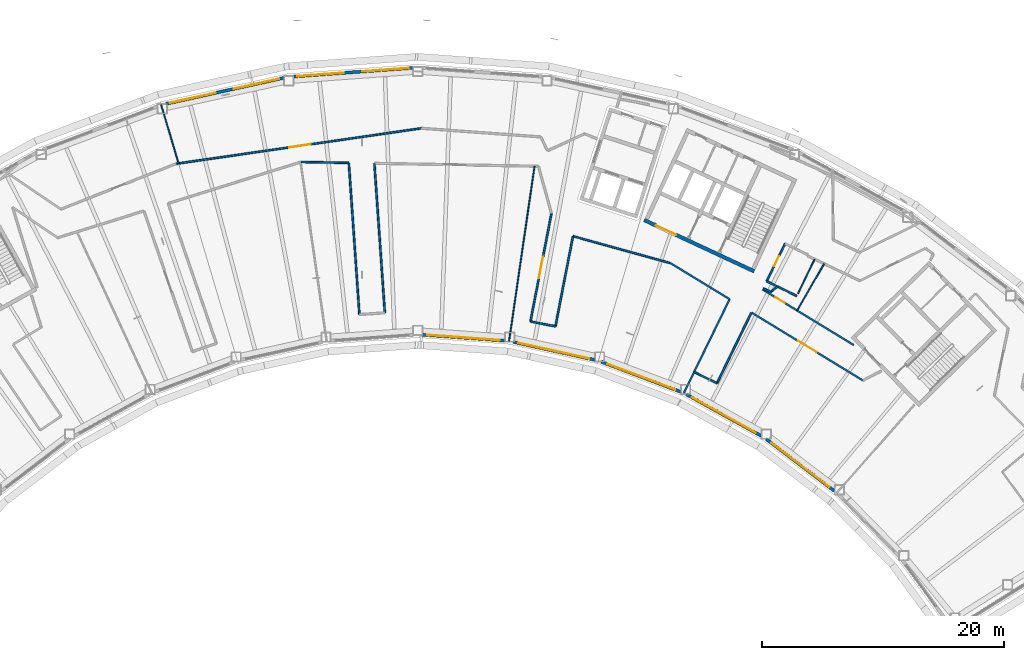
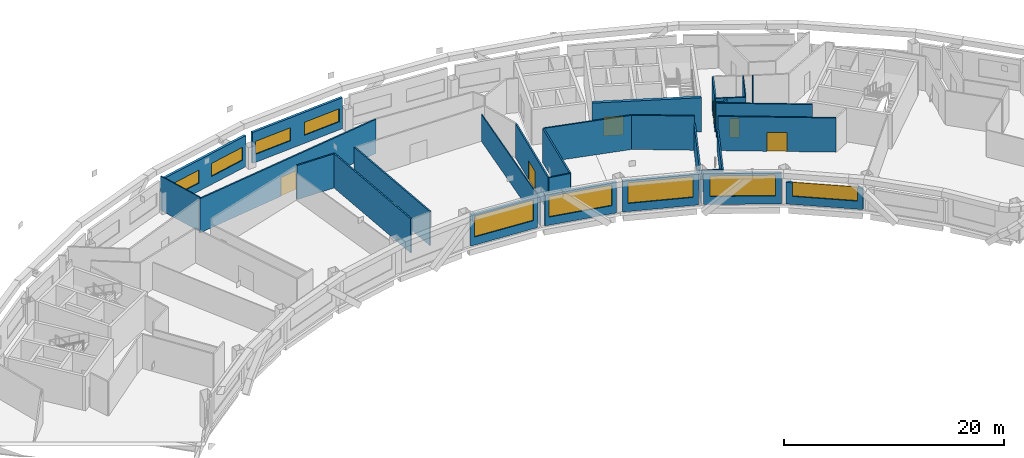
# One storey, part 7 of 21: 30 walls, 9 windows, 6 doors, 15 openings.
"""IFC4 building model written with IfcOpenShell, lengths in metres."""

from ifc_helpers import new_model, si_unit, direction, frame, frame_2d, origin, place, context, subcontext, project, spatial, rectangle, extrude, material, layer, layer_set, type_object, element, fill, save


model = new_model("IFC4")

# Units and contexts
model_context = context("Model", 3, precision=1e-05, world=origin(), true_north=direction((0.0, 1.0)))
body_context = subcontext(model_context, "Body", "Model", "MODEL_VIEW")
ifc_project = project(units=[si_unit("LENGTHUNIT", "METRE"), si_unit("AREAUNIT", "SQUARE_METRE"), si_unit("VOLUMEUNIT", "CUBIC_METRE"), si_unit("PLANEANGLEUNIT", "RADIAN"), si_unit("MASSUNIT", "GRAM", prefix="KILO")], contexts=[model_context])

# Site, building, storey
site_placement = place(None, origin())
site = spatial("IfcSite", under=ifc_project, at=site_placement, CompositionType="ELEMENT")
building_placement = place(site_placement, origin())
building = spatial("IfcBuilding", under=site, at=building_placement, Name="Tuul Gate Civic Tower", CompositionType="ELEMENT")
storey_placement = place(building_placement, frame((0.0, 0.0, 311.0)))
storey = spatial("IfcBuildingStorey", under=building, at=storey_placement, Name="Level 70", CompositionType="ELEMENT", Elevation=311.0)

# Wall, opening, door
ifc_material_1 = material(Name="Concrete C50/60", Category="concrete")
ifc_layer_1 = layer(ifc_material_1, 0.300048828125)
ifc_layer_set_1 = layer_set([ifc_layer_1], Name="Concrete C50/60")
wall_type_1 = type_object("IfcWallType", Name="Core wall C50/60", PredefinedType="SHEAR", material=ifc_layer_set_1)
wall_1_placement = place(storey_placement, frame((34.5283203125, -7.25, 0.0), z_axis=(0.0, 0.0, 1.0), x_axis=(-0.906310338845, 0.422612789327, 0.0)))
wall_1 = element("IfcWall", 1, at=wall_1_placement, inside=storey, type_object=wall_type_1, Name="Core wall", PredefinedType="SHEAR", context=body_context, shape_type="SweptSolid", body=[
    extrude(rectangle(XDim=9.999755859375, YDim=0.300048828125, at=frame_2d((5.0, 0.0))), origin(), (0.0, 0.0, 1.0), 3.800048828125),
])
opening_1_placement = place(wall_1_placement, frame((7.125, 0.0, 0.0)))
opening_1 = element("IfcOpeningElement", 2, at=opening_1_placement, cuts=wall_1, Name="Opening LB-E3-LOBBY-1", PredefinedType="OPENING", context=body_context, shape_type="SweptSolid", body=[
    extrude(rectangle(XDim=1.800048828125, YDim=2.10009765625, at=frame_2d((0.89990234375, 1.050048828125))), frame((0.0, 0.16015625, 0.0), z_axis=(0.0, -1.0, 0.0), x_axis=(1.0, 0.0, 0.0)), (0.0, 0.0, 1.0), 0.320068359375),
])
ifc_material_2 = material(Name="Steel", Category="steel")
door_type_1 = type_object("IfcDoorType", Name="Lobby door", OperationType="DOUBLE_DOOR_SINGLE_SWING", PredefinedType="DOOR", material=ifc_material_2)
door_1_placement = place(opening_1_placement, frame((1.800048828125, 0.0, 0.0), z_axis=(0.0, 0.0, 1.0), x_axis=(-1.0, 0.0, 0.0)))
door_1 = element("IfcDoor", 3, at=door_1_placement, inside=storey, type_object=door_type_1, Name="Lobby door E3-LOBBY", OperationType="DOUBLE_DOOR_SINGLE_SWING", OverallHeight=2.10009765625, OverallWidth=1.800048828125, PredefinedType="DOOR", context=body_context, shape_type="SweptSolid", body=[
    extrude(rectangle(XDim=1.800048828125, YDim=2.10009765625, at=frame_2d((0.900146484375, 1.050048828125))), frame((0.0, 0.02490234375, 0.0), z_axis=(0.0, -1.0, 0.0), x_axis=(1.0, 0.0, 0.0)), (0.0, 0.0, 1.0), 0.050048828125),
])
fill(opening_1, door_1)

ifc_material_3 = material(Name="Gypsum board partition")
ifc_layer_2 = layer(ifc_material_3, 0.14990234375)
ifc_layer_set_2 = layer_set([ifc_layer_2], Name="Gypsum board partition")
wall_type_2 = type_object("IfcWallType", Name="Corridor wall P150", PredefinedType="PARTITIONING", material=ifc_layer_set_2)
wall_2_placement = place(storey_placement, frame((-13.15380859375, 1.62109375, 0.0), z_axis=(0.0, 0.0, 1.0), x_axis=(0.989709337056, 0.143092376259, 0.0)))
wall_2 = element("IfcWall", 4, at=wall_2_placement, inside=storey, type_object=wall_type_2, Name="p019", PredefinedType="PARTITIONING", context=body_context, shape_type="SweptSolid", body=[
    extrude(rectangle(XDim=20.451904296875, YDim=0.14990234375, at=frame_2d((10.22607421875, 0.0))), origin(), (0.0, 0.0, 1.0), 3.800048828125),
])
opening_2_placement = place(wall_2_placement, frame((9.4306640625, 0.0, 0.0)))
opening_2 = element("IfcOpeningElement", 5, at=opening_2_placement, cuts=wall_2, Name="Opening Z-D03", PredefinedType="OPENING", context=body_context, shape_type="SweptSolid", body=[
    extrude(rectangle(XDim=1.800048828125, YDim=2.10009765625, at=frame_2d((0.89990234375, 1.050048828125))), frame((0.0, 0.0849609375, 0.0), z_axis=(0.0, -1.0, 0.0), x_axis=(1.0, 0.0, 0.0)), (0.0, 0.0, 1.0), 0.169921875),
])
ifc_material_4 = material(Name="Timber door leaf, double", Category="wood")
door_type_2 = type_object("IfcDoorType", Name="Door D18", OperationType="DOUBLE_DOOR_SINGLE_SWING", PredefinedType="DOOR", material=ifc_material_4)
door_2_placement = place(opening_2_placement, origin())
door_2 = element("IfcDoor", 6, at=door_2_placement, inside=storey, type_object=door_type_2, Name="Door Z-D03", OperationType="DOUBLE_DOOR_SINGLE_SWING", OverallHeight=2.10009765625, OverallWidth=1.800048828125, PredefinedType="DOOR", context=body_context, shape_type="SweptSolid", body=[
    extrude(rectangle(XDim=1.800048828125, YDim=2.10009765625, at=frame_2d((0.89990234375, 1.050048828125))), frame((0.0, 0.02490234375, 0.0), z_axis=(0.0, -1.0, 0.0), x_axis=(1.0, 0.0, 0.0)), (0.0, 0.0, 1.0), 0.050048828125),
])
fill(opening_2, door_2)

# Wall
wall_3_placement = place(storey_placement, frame((27.579345703125, -6.547119140625, 0.0), z_axis=(0.0, 0.0, 1.0), x_axis=(0.853858797308, -0.520504711084, 0.0)))
element("IfcWall", 7, at=wall_3_placement, inside=storey, type_object=wall_type_2, Name="p029", PredefinedType="PARTITIONING", context=body_context, shape_type="SweptSolid", body=[
    extrude(rectangle(XDim=5.747802734375, YDim=0.14990234375, at=frame_2d((2.8740234375, 0.0))), origin(), (0.0, 0.0, 1.0), 3.800048828125),
])

# Wall, opening, door
wall_4_placement = place(storey_placement, frame((34.322998046875, -10.658203125, 0.0), z_axis=(0.0, 0.0, 1.0), x_axis=(0.853851343104, -0.520516939091, 0.0)))
wall_4 = element("IfcWall", 8, at=wall_4_placement, inside=storey, type_object=wall_type_2, Name="p030", PredefinedType="PARTITIONING", context=body_context, shape_type="SweptSolid", body=[
    extrude(rectangle(XDim=10.74609375, YDim=0.14990234375, at=frame_2d((5.373046875, 0.0))), origin(), (0.0, 0.0, 1.0), 3.800048828125),
])
opening_3_placement = place(wall_4_placement, frame((4.472900390625, 0.0, 0.0)))
opening_3 = element("IfcOpeningElement", 9, at=opening_3_placement, cuts=wall_4, Name="Opening Z-D06", PredefinedType="OPENING", context=body_context, shape_type="SweptSolid", body=[
    extrude(rectangle(XDim=1.800048828125, YDim=2.10009765625, at=frame_2d((0.89990234375, 1.050048828125))), frame((0.0, 0.0849609375, 0.0), z_axis=(0.0, -1.0, 0.0), x_axis=(1.0, 0.0, 0.0)), (0.0, 0.0, 1.0), 0.169921875),
])
door_3_placement = place(opening_3_placement, frame((1.800048828125, 0.0, 0.0), z_axis=(0.0, 0.0, 1.0), x_axis=(-1.0, 0.0, 0.0)))
door_3 = element("IfcDoor", 10, at=door_3_placement, inside=storey, type_object=door_type_2, Name="Door Z-D06", OperationType="DOUBLE_DOOR_SINGLE_SWING", OverallHeight=2.10009765625, OverallWidth=1.800048828125, PredefinedType="DOOR", context=body_context, shape_type="SweptSolid", body=[
    extrude(rectangle(XDim=1.800048828125, YDim=2.10009765625, at=frame_2d((0.900146484375, 1.050048828125))), frame((0.0, 0.02490234375, 0.0), z_axis=(0.0, -1.0, 0.0), x_axis=(1.0, 0.0, 0.0)), (0.0, 0.0, 1.0), 0.050048828125),
])
fill(opening_3, door_3)

wall_5_placement = place(storey_placement, frame((35.560302734375, -8.0703125, 0.0), z_axis=(0.0, 0.0, 1.0), x_axis=(0.438388776305, 0.898785447596, 0.0)))
wall_5 = element("IfcWall", 11, at=wall_5_placement, inside=storey, type_object=wall_type_2, Name="p034", PredefinedType="PARTITIONING", context=body_context, shape_type="SweptSolid", body=[
    extrude(rectangle(XDim=3.449951171875, YDim=0.14990234375, at=frame_2d((1.72509765625, 0.0))), origin(), (0.0, 0.0, 1.0), 3.800048828125),
])
opening_4_placement = place(wall_5_placement, frame((1.389892578125, 0.0, 0.0)))
opening_4 = element("IfcOpeningElement", 12, at=opening_4_placement, cuts=wall_5, Name="Opening Z-D12", PredefinedType="OPENING", context=body_context, shape_type="SweptSolid", body=[
    extrude(rectangle(XDim=0.89990234375, YDim=2.10009765625, at=frame_2d((0.449951171875, 1.050048828125))), frame((0.0, 0.0849609375, 0.0), z_axis=(0.0, -1.0, 0.0), x_axis=(1.0, 0.0, 0.0)), (0.0, 0.0, 1.0), 0.169921875),
])
ifc_material_5 = material(Name="Timber door leaf", Category="wood")
door_type_3 = type_object("IfcDoorType", Name="Door D09", OperationType="NOTDEFINED", PredefinedType="DOOR", material=ifc_material_5)
door_4_placement = place(opening_4_placement, frame((0.89990234375, 0.0, 0.0), z_axis=(0.0, 0.0, 1.0), x_axis=(-1.0, 0.0, 0.0)))
door_4 = element("IfcDoor", 13, at=door_4_placement, inside=storey, type_object=door_type_3, Name="Door Z-D12", OperationType="SINGLE_SWING_LEFT", OverallHeight=2.10009765625, OverallWidth=0.89990234375, PredefinedType="DOOR", context=body_context, shape_type="SweptSolid", body=[
    extrude(rectangle(XDim=0.89990234375, YDim=2.10009765625, at=frame_2d((0.449951171875, 1.050048828125))), frame((0.0, 0.02490234375, 0.0), z_axis=(0.0, -1.0, 0.0), x_axis=(1.0, 0.0, 0.0)), (0.0, 0.0, 1.0), 0.050048828125),
])
fill(opening_4, door_4)

# Wall
wall_6_placement = place(storey_placement, frame((-2.833740234375, 1.76611328125, 0.0), z_axis=(0.0, 0.0, 1.0), x_axis=(0.999840599345, -0.017854296417, 0.0)))
element("IfcWall", 14, at=wall_6_placement, inside=storey, type_object=wall_type_2, Name="p037", PredefinedType="PARTITIONING", context=body_context, shape_type="SweptSolid", body=[
    extrude(rectangle(XDim=3.910888671875, YDim=0.14990234375, at=frame_2d((1.95556640625, 0.0))), origin(), (0.0, 0.0, 1.0), 3.800048828125),
])

# Wall, opening, door
wall_7_placement = place(storey_placement, frame((16.0751953125, -11.38720703125, 0.0), z_axis=(0.0, 0.0, 1.0), x_axis=(0.190793965556, 0.981630104829, 0.0)))
wall_7 = element("IfcWall", 15, at=wall_7_placement, inside=storey, type_object=wall_type_2, Name="p040", PredefinedType="PARTITIONING", context=body_context, shape_type="SweptSolid", body=[
    extrude(rectangle(XDim=9.064697265625, YDim=0.14990234375, at=frame_2d((4.5322265625, 0.0))), origin(), (0.0, 0.0, 1.0), 3.800048828125),
])
opening_5_placement = place(wall_7_placement, frame((3.63232421875, 0.0, 0.0)))
opening_5 = element("IfcOpeningElement", 16, at=opening_5_placement, cuts=wall_7, Name="Opening Z-D07", PredefinedType="OPENING", context=body_context, shape_type="SweptSolid", body=[
    extrude(rectangle(XDim=1.800048828125, YDim=2.10009765625, at=frame_2d((0.89990234375, 1.050048828125))), frame((0.0, 0.0849609375, 0.0), z_axis=(0.0, -1.0, 0.0), x_axis=(1.0, 0.0, 0.0)), (0.0, 0.0, 1.0), 0.169921875),
])
door_5_placement = place(opening_5_placement, origin())
door_5 = element("IfcDoor", 17, at=door_5_placement, inside=storey, type_object=door_type_2, Name="Door Z-D07", OperationType="DOUBLE_DOOR_SINGLE_SWING", OverallHeight=2.10009765625, OverallWidth=1.800048828125, PredefinedType="DOOR", context=body_context, shape_type="SweptSolid", body=[
    extrude(rectangle(XDim=1.800048828125, YDim=2.10009765625, at=frame_2d((0.89990234375, 1.050048828125))), frame((0.0, 0.02490234375, 0.0), z_axis=(0.0, -1.0, 0.0), x_axis=(1.0, 0.0, 0.0)), (0.0, 0.0, 1.0), 0.050048828125),
])
fill(opening_5, door_5)

# Walls
wall_8_placement = place(storey_placement, frame((16.07568359375, -11.387939453125, 0.0), z_axis=(0.0, 0.0, 1.0), x_axis=(0.981626892915, -0.19081049003, 0.0)))
element("IfcWall", 18, at=wall_8_placement, inside=storey, type_object=wall_type_2, Name="p041", PredefinedType="PARTITIONING", context=body_context, shape_type="SweptSolid", body=[
    extrude(rectangle(XDim=2.098388671875, YDim=0.14990234375, at=frame_2d((1.04931640625, 0.0))), origin(), (0.0, 0.0, 1.0), 3.800048828125),
])
wall_9_placement = place(storey_placement, frame((18.136474609375, -11.787841796875, 0.0), z_axis=(0.0, 0.0, 1.0), x_axis=(0.190825553335, 0.981623964762, 0.0)))
element("IfcWall", 19, at=wall_9_placement, inside=storey, type_object=wall_type_2, Name="p042", PredefinedType="PARTITIONING", context=body_context, shape_type="SweptSolid", body=[
    extrude(rectangle(XDim=7.55615234375, YDim=0.14990234375, at=frame_2d((3.778076171875, 0.0))), origin(), (0.0, 0.0, 1.0), 3.800048828125),
])
wall_10_placement = place(storey_placement, frame((19.60546875, -4.355224609375, 0.0), z_axis=(0.0, 0.0, 1.0), x_axis=(0.963808368213, -0.266596004026, 0.0)))
element("IfcWall", 20, at=wall_10_placement, inside=storey, type_object=wall_type_2, Name="p043", PredefinedType="PARTITIONING", context=body_context, shape_type="SweptSolid", body=[
    extrude(rectangle(XDim=8.24462890625, YDim=0.14990234375, at=frame_2d((4.122314453125, 0.0))), origin(), (0.0, 0.0, 1.0), 3.800048828125),
])
wall_11_placement = place(storey_placement, frame((1.096435546875, 1.67724609375, 0.0), z_axis=(0.0, 0.0, 1.0), x_axis=(0.069752110832, -0.997564355335, 0.0)))
element("IfcWall", 21, at=wall_11_placement, inside=storey, type_object=wall_type_2, Name="p048", PredefinedType="PARTITIONING", context=body_context, shape_type="SweptSolid", body=[
    extrude(rectangle(XDim=12.5234375, YDim=0.14990234375, at=frame_2d((6.26171875, 0.0))), origin(), (0.0, 0.0, 1.0), 3.800048828125),
])
wall_12_placement = place(storey_placement, frame((3.204345703125, 1.635986328125, 0.0), z_axis=(0.0, 0.0, 1.0), x_axis=(0.069767283292, -0.997563294324, 0.0)))
element("IfcWall", 22, at=wall_12_placement, inside=storey, type_object=wall_type_2, Name="p050", PredefinedType="PARTITIONING", context=body_context, shape_type="SweptSolid", body=[
    extrude(rectangle(XDim=12.335205078125, YDim=0.14990234375, at=frame_2d((6.16748046875, 0.0))), origin(), (0.0, 0.0, 1.0), 3.800048828125),
])

# Wall, opening, door
wall_13_placement = place(storey_placement, frame((35.228515625, -8.750732421875, 0.0), z_axis=(0.0, 0.0, 1.0), x_axis=(0.853848247105, -0.520522017705, 0.0)))
wall_13 = element("IfcWall", 23, at=wall_13_placement, inside=storey, type_object=wall_type_2, Name="p076", PredefinedType="PARTITIONING", context=body_context, shape_type="SweptSolid", body=[
    extrude(rectangle(XDim=8.79296875, YDim=0.14990234375, at=frame_2d((4.396484375, 0.0))), origin(), (0.0, 0.0, 1.0), 3.800048828125),
])
opening_6_placement = place(wall_13_placement, frame((1.2294921875, 0.0, 0.0)))
opening_6 = element("IfcOpeningElement", 24, at=opening_6_placement, cuts=wall_13, Name="Opening Z-D13", PredefinedType="OPENING", context=body_context, shape_type="SweptSolid", body=[
    extrude(rectangle(XDim=0.89990234375, YDim=2.10009765625, at=frame_2d((0.449951171875, 1.050048828125))), frame((0.0, 0.0849609375, 0.0), z_axis=(0.0, -1.0, 0.0), x_axis=(1.0, 0.0, 0.0)), (0.0, 0.0, 1.0), 0.169921875),
])
door_6_placement = place(opening_6_placement, frame((0.89990234375, 0.0, 0.0), z_axis=(0.0, 0.0, 1.0), x_axis=(-1.0, 0.0, 0.0)))
door_6 = element("IfcDoor", 25, at=door_6_placement, inside=storey, type_object=door_type_3, Name="Door Z-D13", OperationType="SINGLE_SWING_LEFT", OverallHeight=2.10009765625, OverallWidth=0.89990234375, PredefinedType="DOOR", context=body_context, shape_type="SweptSolid", body=[
    extrude(rectangle(XDim=0.89990234375, YDim=2.10009765625, at=frame_2d((0.449951171875, 1.050048828125))), frame((0.0, 0.02490234375, 0.0), z_axis=(0.0, -1.0, 0.0), x_axis=(1.0, 0.0, 0.0)), (0.0, 0.0, 1.0), 0.050048828125),
])
fill(opening_6, door_6)

# Walls
wall_14_placement = place(storey_placement, frame((35.560302734375, -8.0703125, 0.0), z_axis=(0.0, 0.0, 1.0), x_axis=(0.898788847499, -0.438381805748, 0.0)))
element("IfcWall", 26, at=wall_14_placement, inside=storey, type_object=wall_type_2, Name="p081", PredefinedType="PARTITIONING", context=body_context, shape_type="SweptSolid", body=[
    extrude(rectangle(XDim=2.760009765625, YDim=0.14990234375, at=frame_2d((1.3798828125, 0.0))), origin(), (0.0, 0.0, 1.0), 3.800048828125),
])
wall_15_placement = place(storey_placement, frame((35.881591796875, -8.940185546875, 0.0), z_axis=(0.0, 0.0, 1.0), x_axis=(0.809026799602, 0.587771756319, 0.0)))
element("IfcWall", 27, at=wall_15_placement, inside=storey, type_object=wall_type_2, Name="p082", PredefinedType="PARTITIONING", context=body_context, shape_type="SweptSolid", body=[
    extrude(rectangle(XDim=0.72607421875, YDim=0.14990234375, at=frame_2d((0.363037109375, 0.0))), origin(), (0.0, 0.0, 1.0), 3.800048828125),
])
wall_16_placement = place(storey_placement, frame((35.274169921875, -8.656982421875, 0.0), z_axis=(0.0, 0.0, 1.0), x_axis=(0.906331987143, -0.422566360565, 0.0)))
element("IfcWall", 28, at=wall_16_placement, inside=storey, type_object=wall_type_2, Name="p083", PredefinedType="PARTITIONING", context=body_context, shape_type="SweptSolid", body=[
    extrude(rectangle(XDim=0.670166015625, YDim=0.14990234375, at=frame_2d((0.3349609375, 0.0))), origin(), (0.0, 0.0, 1.0), 3.800048828125),
])
ifc_material_6 = material(Name="Gypsum board partition")
ifc_layer_3 = layer(ifc_material_6, 0.14990234375)
ifc_layer_set_3 = layer_set([ifc_layer_3], Name="Gypsum board partition")
wall_type_3 = type_object("IfcWallType", Name="Corridor wall P150 2400 HIGH", PredefinedType="PARTITIONING", material=ifc_layer_set_3)
wall_17_placement = place(storey_placement, frame((29.573974609375, -15.5556640625, 0.0), z_axis=(0.0, 0.0, 1.0), x_axis=(0.898804220835, -0.438350285284, 0.0)))
element("IfcWall", 29, at=wall_17_placement, inside=storey, type_object=wall_type_3, Name="p032", PredefinedType="PARTITIONING", context=body_context, shape_type="SweptSolid", body=[
    extrude(rectangle(XDim=2.0986328125, YDim=0.14990234375, at=frame_2d((1.04931640625, 0.0))), origin(), (0.0, 0.0, 1.0), 2.39990234375),
])
wall_18_placement = place(storey_placement, frame((31.461181640625, -16.47509765625, 0.0), z_axis=(0.0, 0.0, 1.0), x_axis=(0.438381949915, 0.898788777182, 0.0)))
element("IfcWall", 30, at=wall_18_placement, inside=storey, type_object=wall_type_3, Name="p033", PredefinedType="PARTITIONING", context=body_context, shape_type="SweptSolid", body=[
    extrude(rectangle(XDim=6.46240234375, YDim=0.14990234375, at=frame_2d((3.231201171875, 0.0))), origin(), (0.0, 0.0, 1.0), 2.39990234375),
])
ifc_material_7 = material(Name="Gypsum board partition")
ifc_layer_4 = layer(ifc_material_7, 0.14990234375)
ifc_layer_set_4 = layer_set([ifc_layer_4], Name="Gypsum board partition")
wall_type_4 = type_object("IfcWallType", Name="Corridor wall P150 3000 HIGH", PredefinedType="PARTITIONING", material=ifc_layer_set_4)
wall_19_placement = place(storey_placement, frame((28.72802734375, -17.288330078125, 0.0), z_axis=(0.0, 0.0, 1.0), x_axis=(0.438361737628, 0.898798635393, 0.0)))
element("IfcWall", 31, at=wall_19_placement, inside=storey, type_object=wall_type_4, Name="p031", PredefinedType="PARTITIONING", context=body_context, shape_type="SweptSolid", body=[
    extrude(rectangle(XDim=8.62646484375, YDim=0.14990234375, at=frame_2d((4.313232421875, 0.0))), origin(), (0.0, 0.0, 1.0), 3.0),
])

# Wall, openings, windows
ifc_material_8 = material(Name="Precast concrete C40/50", Category="concrete")
ifc_layer_5 = layer(ifc_material_8, 0.25)
ifc_layer_set_5 = layer_set([ifc_layer_5], Name="Precast concrete C40/50")
wall_type_5 = type_object("IfcWallType", Name="External wall", PredefinedType="STANDARD", material=ifc_layer_set_5)
wall_20_placement = place(storey_placement, frame((6.387939453125, 9.52880859375, 0.0), z_axis=(0.0, 0.0, 1.0), x_axis=(-0.997387042659, -0.072243249762, 0.0)))
wall_20 = element("IfcWall", 32, at=wall_20_placement, inside=storey, type_object=wall_type_5, Name="External wall", PredefinedType="STANDARD", context=body_context, shape_type="SweptSolid", body=[
    extrude(rectangle(XDim=9.874755859375, YDim=0.25, at=frame_2d((4.9375, 0.0))), origin(), (0.0, 0.0, 1.0), 3.449951171875),
])
opening_7_placement = place(wall_20_placement, frame((0.35009765625, 0.0, 0.89990234375)))
opening_7 = element("IfcOpeningElement", 33, at=opening_7_placement, cuts=wall_20, Name="Opening W103", PredefinedType="OPENING", context=body_context, shape_type="SweptSolid", body=[
    extrude(rectangle(XDim=3.85009765625, YDim=1.449951171875, at=frame_2d((1.925048828125, 0.72509765625))), frame((0.0, 0.135009765625, 0.0), z_axis=(0.0, -1.0, 0.0), x_axis=(1.0, 0.0, 0.0)), (0.0, 0.0, 1.0), 0.27001953125),
])
opening_8_placement = place(wall_20_placement, frame((5.720947265625, 0.0, 0.89990234375)))
opening_8 = element("IfcOpeningElement", 34, at=opening_8_placement, cuts=wall_20, Name="Opening W103", PredefinedType="OPENING", context=body_context, shape_type="SweptSolid", body=[
    extrude(rectangle(XDim=3.85009765625, YDim=1.449951171875, at=frame_2d((1.925048828125, 0.72509765625))), frame((0.0, 0.135009765625, 0.0), z_axis=(0.0, -1.0, 0.0), x_axis=(1.0, 0.0, 0.0)), (0.0, 0.0, 1.0), 0.27001953125),
])
ifc_material_9 = material(Name="Glass", Category="glass")
window_type_1 = type_object("IfcWindowType", Name="Window W103 3850 x 1450", PartitioningType="SINGLE_PANEL", PredefinedType="WINDOW", material=ifc_material_9)
window_1_placement = place(opening_7_placement, origin())
window_1 = element("IfcWindow", 35, at=window_1_placement, inside=storey, type_object=window_type_1, Name="Window", OverallHeight=1.449951171875, OverallWidth=3.85009765625, PartitioningType="SINGLE_PANEL", PredefinedType="WINDOW", context=body_context, shape_type="SweptSolid", body=[
    extrude(rectangle(XDim=3.85009765625, YDim=1.449951171875, at=frame_2d((1.925048828125, 0.72509765625))), frame((0.0, 0.030029296875, 0.0), z_axis=(0.0, -1.0, 0.0), x_axis=(1.0, 0.0, 0.0)), (0.0, 0.0, 1.0), 0.06005859375),
])
fill(opening_7, window_1)
window_2_placement = place(opening_8_placement, origin())
window_2 = element("IfcWindow", 36, at=window_2_placement, inside=storey, type_object=window_type_1, Name="Window", OverallHeight=1.449951171875, OverallWidth=3.85009765625, PartitioningType="SINGLE_PANEL", PredefinedType="WINDOW", context=body_context, shape_type="SweptSolid", body=[
    extrude(rectangle(XDim=3.85009765625, YDim=1.449951171875, at=frame_2d((1.925048828125, 0.72509765625))), frame((0.0, 0.030029296875, 0.0), z_axis=(0.0, -1.0, 0.0), x_axis=(1.0, 0.0, 0.0)), (0.0, 0.0, 1.0), 0.06005859375),
])
fill(opening_8, window_2)

wall_21_placement = place(storey_placement, frame((-4.260986328125, 8.705078125, 0.0), z_axis=(0.0, 0.0, 1.0), x_axis=(-0.976568573814, -0.215206460496, 0.0)))
wall_21 = element("IfcWall", 37, at=wall_21_placement, inside=storey, type_object=wall_type_5, Name="External wall", PredefinedType="STANDARD", context=body_context, shape_type="SweptSolid", body=[
    extrude(rectangle(XDim=9.958251953125, YDim=0.25, at=frame_2d((4.97900390625, 0.0))), origin(), (0.0, 0.0, 1.0), 3.449951171875),
])
opening_9_placement = place(wall_21_placement, frame((0.389892578125, 0.0, 0.89990234375)))
opening_9 = element("IfcOpeningElement", 38, at=opening_9_placement, cuts=wall_21, Name="Opening W103", PredefinedType="OPENING", context=body_context, shape_type="SweptSolid", body=[
    extrude(rectangle(XDim=3.85009765625, YDim=1.449951171875, at=frame_2d((1.925048828125, 0.72509765625))), frame((0.0, 0.135009765625, 0.0), z_axis=(0.0, -1.0, 0.0), x_axis=(1.0, 0.0, 0.0)), (0.0, 0.0, 1.0), 0.27001953125),
])
opening_10_placement = place(wall_21_placement, frame((5.760986328125, 0.0, 0.89990234375)))
opening_10 = element("IfcOpeningElement", 39, at=opening_10_placement, cuts=wall_21, Name="Opening W103", PredefinedType="OPENING", context=body_context, shape_type="SweptSolid", body=[
    extrude(rectangle(XDim=3.85009765625, YDim=1.449951171875, at=frame_2d((1.925048828125, 0.72509765625))), frame((0.0, 0.135009765625, 0.0), z_axis=(0.0, -1.0, 0.0), x_axis=(1.0, 0.0, 0.0)), (0.0, 0.0, 1.0), 0.27001953125),
])
window_3_placement = place(opening_9_placement, origin())
window_3 = element("IfcWindow", 40, at=window_3_placement, inside=storey, type_object=window_type_1, Name="Window", OverallHeight=1.449951171875, OverallWidth=3.85009765625, PartitioningType="SINGLE_PANEL", PredefinedType="WINDOW", context=body_context, shape_type="SweptSolid", body=[
    extrude(rectangle(XDim=3.85009765625, YDim=1.449951171875, at=frame_2d((1.925048828125, 0.72509765625))), frame((0.0, 0.030029296875, 0.0), z_axis=(0.0, -1.0, 0.0), x_axis=(1.0, 0.0, 0.0)), (0.0, 0.0, 1.0), 0.06005859375),
])
fill(opening_9, window_3)
window_4_placement = place(opening_10_placement, origin())
window_4 = element("IfcWindow", 41, at=window_4_placement, inside=storey, type_object=window_type_1, Name="Window", OverallHeight=1.449951171875, OverallWidth=3.85009765625, PartitioningType="SINGLE_PANEL", PredefinedType="WINDOW", context=body_context, shape_type="SweptSolid", body=[
    extrude(rectangle(XDim=3.85009765625, YDim=1.449951171875, at=frame_2d((1.925048828125, 0.72509765625))), frame((0.0, 0.030029296875, 0.0), z_axis=(0.0, -1.0, 0.0), x_axis=(1.0, 0.0, 0.0)), (0.0, 0.0, 1.0), 0.06005859375),
])
fill(opening_10, window_4)

# Wall, opening, window
wall_22_placement = place(storey_placement, frame((7.18798828125, -12.478759765625, 0.0), z_axis=(0.0, 0.0, 1.0), x_axis=(0.997384795983, -0.072274260578, 0.0)))
wall_22 = element("IfcWall", 42, at=wall_22_placement, inside=storey, type_object=wall_type_5, Name="External wall", PredefinedType="STANDARD", context=body_context, shape_type="SweptSolid", body=[
    extrude(rectangle(XDim=6.789794921875, YDim=0.25, at=frame_2d((3.39501953125, 0.0))), origin(), (0.0, 0.0, 1.0), 3.449951171875),
])
opening_11_placement = place(wall_22_placement, frame((0.371337890625, 0.0, 0.89990234375)))
opening_11 = element("IfcOpeningElement", 43, at=opening_11_placement, cuts=wall_22, Name="Opening W26", PredefinedType="OPENING", context=body_context, shape_type="SweptSolid", body=[
    extrude(rectangle(XDim=6.0, YDim=2.300048828125, at=frame_2d((3.0, 1.14990234375))), frame((0.0, 0.135009765625, 0.0), z_axis=(0.0, -1.0, 0.0), x_axis=(1.0, 0.0, 0.0)), (0.0, 0.0, 1.0), 0.27001953125),
])
ifc_material_10 = material(Name="Glass", Category="glass")
window_type_2 = type_object("IfcWindowType", Name="Window W26 6000 x 2300", PartitioningType="SINGLE_PANEL", PredefinedType="WINDOW", material=ifc_material_10)
window_5_placement = place(opening_11_placement, origin())
window_5 = element("IfcWindow", 44, at=window_5_placement, inside=storey, type_object=window_type_2, Name="Window", OverallHeight=2.300048828125, OverallWidth=6.0, PartitioningType="SINGLE_PANEL", PredefinedType="WINDOW", context=body_context, shape_type="SweptSolid", body=[
    extrude(rectangle(XDim=6.0, YDim=2.300048828125, at=frame_2d((3.0, 1.14990234375))), frame((0.0, 0.030029296875, 0.0), z_axis=(0.0, -1.0, 0.0), x_axis=(1.0, 0.0, 0.0)), (0.0, 0.0, 1.0), 0.06005859375),
])
fill(opening_11, window_5)

wall_23_placement = place(storey_placement, frame((14.6669921875, -13.072998046875, 0.0), z_axis=(0.0, 0.0, 1.0), x_axis=(0.976561146318, -0.215240162382, 0.0)))
wall_23 = element("IfcWall", 45, at=wall_23_placement, inside=storey, type_object=wall_type_5, Name="External wall", PredefinedType="STANDARD", context=body_context, shape_type="SweptSolid", body=[
    extrude(rectangle(XDim=6.867919921875, YDim=0.25, at=frame_2d((3.43408203125, 0.0))), origin(), (0.0, 0.0, 1.0), 3.449951171875),
])
opening_12_placement = place(wall_23_placement, frame((0.409912109375, 0.0, 0.89990234375)))
opening_12 = element("IfcOpeningElement", 46, at=opening_12_placement, cuts=wall_23, Name="Opening W26", PredefinedType="OPENING", context=body_context, shape_type="SweptSolid", body=[
    extrude(rectangle(XDim=6.0, YDim=2.300048828125, at=frame_2d((3.0, 1.14990234375))), frame((0.0, 0.135009765625, 0.0), z_axis=(0.0, -1.0, 0.0), x_axis=(1.0, 0.0, 0.0)), (0.0, 0.0, 1.0), 0.27001953125),
])
window_6_placement = place(opening_12_placement, origin())
window_6 = element("IfcWindow", 47, at=window_6_placement, inside=storey, type_object=window_type_2, Name="Window", OverallHeight=2.300048828125, OverallWidth=6.0, PartitioningType="SINGLE_PANEL", PredefinedType="WINDOW", context=body_context, shape_type="SweptSolid", body=[
    extrude(rectangle(XDim=6.0, YDim=2.300048828125, at=frame_2d((3.0, 1.14990234375))), frame((0.0, 0.030029296875, 0.0), z_axis=(0.0, -1.0, 0.0), x_axis=(1.0, 0.0, 0.0)), (0.0, 0.0, 1.0), 0.06005859375),
])
fill(opening_12, window_6)

wall_24_placement = place(storey_placement, frame((21.913818359375, -14.70703125, 0.0), z_axis=(0.0, 0.0, 1.0), x_axis=(0.93536593895, -0.353681438943, 0.0)))
wall_24 = element("IfcWall", 48, at=wall_24_placement, inside=storey, type_object=wall_type_5, Name="External wall", PredefinedType="STANDARD", context=body_context, shape_type="SweptSolid", body=[
    extrude(rectangle(XDim=7.0146484375, YDim=0.25, at=frame_2d((3.50732421875, 0.0))), origin(), (0.0, 0.0, 1.0), 3.449951171875),
])
opening_13_placement = place(wall_24_placement, frame((0.523193359375, 0.0, 0.89990234375)))
opening_13 = element("IfcOpeningElement", 49, at=opening_13_placement, cuts=wall_24, Name="Opening W26", PredefinedType="OPENING", context=body_context, shape_type="SweptSolid", body=[
    extrude(rectangle(XDim=6.0, YDim=2.300048828125, at=frame_2d((3.0, 1.14990234375))), frame((0.0, 0.135009765625, 0.0), z_axis=(0.0, -1.0, 0.0), x_axis=(1.0, 0.0, 0.0)), (0.0, 0.0, 1.0), 0.27001953125),
])
window_7_placement = place(opening_13_placement, origin())
window_7 = element("IfcWindow", 50, at=window_7_placement, inside=storey, type_object=window_type_2, Name="Window", OverallHeight=2.300048828125, OverallWidth=6.0, PartitioningType="SINGLE_PANEL", PredefinedType="WINDOW", context=body_context, shape_type="SweptSolid", body=[
    extrude(rectangle(XDim=6.0, YDim=2.300048828125, at=frame_2d((3.0, 1.14990234375))), frame((0.0, 0.030029296875, 0.0), z_axis=(0.0, -1.0, 0.0), x_axis=(1.0, 0.0, 0.0)), (0.0, 0.0, 1.0), 0.06005859375),
])
fill(opening_13, window_7)

wall_25_placement = place(storey_placement, frame((28.926513671875, -17.39208984375, 0.0), z_axis=(0.0, 0.0, 1.0), x_axis=(0.874628863521, -0.484793101328, 0.0)))
wall_25 = element("IfcWall", 51, at=wall_25_placement, inside=storey, type_object=wall_type_5, Name="External wall", PredefinedType="STANDARD", context=body_context, shape_type="SweptSolid", body=[
    extrude(rectangle(XDim=7.075439453125, YDim=0.25, at=frame_2d((3.53759765625, 0.0))), origin(), (0.0, 0.0, 1.0), 3.449951171875),
])
opening_14_placement = place(wall_25_placement, frame((0.556396484375, 0.0, 0.89990234375)))
opening_14 = element("IfcOpeningElement", 52, at=opening_14_placement, cuts=wall_25, Name="Opening W26", PredefinedType="OPENING", context=body_context, shape_type="SweptSolid", body=[
    extrude(rectangle(XDim=6.0, YDim=2.300048828125, at=frame_2d((3.0, 1.14990234375))), frame((0.0, 0.135009765625, 0.0), z_axis=(0.0, -1.0, 0.0), x_axis=(1.0, 0.0, 0.0)), (0.0, 0.0, 1.0), 0.27001953125),
])
window_8_placement = place(opening_14_placement, origin())
window_8 = element("IfcWindow", 53, at=window_8_placement, inside=storey, type_object=window_type_2, Name="Window", OverallHeight=2.300048828125, OverallWidth=6.0, PartitioningType="SINGLE_PANEL", PredefinedType="WINDOW", context=body_context, shape_type="SweptSolid", body=[
    extrude(rectangle(XDim=6.0, YDim=2.300048828125, at=frame_2d((3.0, 1.14990234375))), frame((0.0, 0.030029296875, 0.0), z_axis=(0.0, -1.0, 0.0), x_axis=(1.0, 0.0, 0.0)), (0.0, 0.0, 1.0), 0.06005859375),
])
fill(opening_14, window_8)

ifc_material_11 = material(Name="Precast concrete C40/50", Category="concrete")
ifc_layer_6 = layer(ifc_material_11, 0.25)
ifc_layer_set_6 = layer_set([ifc_layer_6], Name="Precast concrete C40/50")
wall_type_6 = type_object("IfcWallType", Name="External wall 2400 HIGH", PredefinedType="STANDARD", material=ifc_layer_set_6)
wall_26_placement = place(storey_placement, frame((35.503173828125, -21.072021484375, 0.0), z_axis=(0.0, 0.0, 1.0), x_axis=(0.795576155771, -0.605853596481, 0.0)))
wall_26 = element("IfcWall", 54, at=wall_26_placement, inside=storey, type_object=wall_type_6, Name="External wall", PredefinedType="STANDARD", context=body_context, shape_type="SweptSolid", body=[
    extrude(rectangle(XDim=7.060791015625, YDim=0.25, at=frame_2d((3.5302734375, 0.0))), origin(), (0.0, 0.0, 1.0), 2.39990234375),
])
opening_15_placement = place(wall_26_placement, frame((0.56298828125, 0.0, 0.89990234375)))
opening_15 = element("IfcOpeningElement", 55, at=opening_15_placement, cuts=wall_26, Name="Opening W163", PredefinedType="OPENING", context=body_context, shape_type="SweptSolid", body=[
    extrude(rectangle(XDim=6.0, YDim=1.5, at=frame_2d((3.0, 0.75))), frame((0.0, 0.135009765625, 0.0), z_axis=(0.0, -1.0, 0.0), x_axis=(1.0, 0.0, 0.0)), (0.0, 0.0, 1.0), 0.27001953125),
])
ifc_material_12 = material(Name="Glass", Category="glass")
window_type_3 = type_object("IfcWindowType", Name="Window 6000 x 1500", PartitioningType="SINGLE_PANEL", PredefinedType="WINDOW", material=ifc_material_12)
window_9_placement = place(opening_15_placement, origin())
window_9 = element("IfcWindow", 56, at=window_9_placement, inside=storey, type_object=window_type_3, Name="Window", OverallHeight=1.5, OverallWidth=6.0, PartitioningType="SINGLE_PANEL", PredefinedType="WINDOW", context=body_context, shape_type="SweptSolid", body=[
    extrude(rectangle(XDim=6.0, YDim=1.5, at=frame_2d((3.0, 0.75))), frame((0.0, 0.030029296875, 0.0), z_axis=(0.0, -1.0, 0.0), x_axis=(1.0, 0.0, 0.0)), (0.0, 0.0, 1.0), 0.06005859375),
])
fill(opening_15, window_9)

# Walls
ifc_material_13 = material(Name="Gypsum board partition")
ifc_layer_7 = layer(ifc_material_13, 0.10009765625)
ifc_layer_set_7 = layer_set([ifc_layer_7], Name="Gypsum board partition")
wall_type_7 = type_object("IfcWallType", Name="Partition P100", PredefinedType="PARTITIONING", material=ifc_layer_set_7)
wall_27_placement = place(storey_placement, frame((-14.3828125, 6.479736328125, 0.0), z_axis=(0.0, 0.0, 1.0), x_axis=(0.285195296724, -0.958469427121, 0.0)))
element("IfcWall", 57, at=wall_27_placement, inside=storey, type_object=wall_type_7, Name="p012", PredefinedType="PARTITIONING", context=body_context, shape_type="SweptSolid", body=[
    extrude(rectangle(XDim=5.037841796875, YDim=0.10009765625, at=frame_2d((2.51904296875, 0.0))), origin(), (0.0, 0.0, 1.0), 3.800048828125),
])
wall_28_placement = place(storey_placement, frame((38.071044921875, -10.4833984375, 0.0), z_axis=(0.0, 0.0, 1.0), x_axis=(0.500000840671, 0.866024918422, 0.0)))
element("IfcWall", 58, at=wall_28_placement, inside=storey, type_object=wall_type_7, Name="p077", PredefinedType="PARTITIONING", context=body_context, shape_type="SweptSolid", body=[
    extrude(rectangle(XDim=4.45361328125, YDim=0.10009765625, at=frame_2d((2.226806640625, 0.0))), origin(), (0.0, 0.0, 1.0), 3.800048828125),
])
wall_29_placement = place(storey_placement, frame((38.141845703125, -9.073486328125, 0.0), z_axis=(0.0, 0.0, 1.0), x_axis=(0.438379150526, 0.898790142572, 0.0)))
element("IfcWall", 59, at=wall_29_placement, inside=storey, type_object=wall_type_7, Name="p079", PredefinedType="PARTITIONING", context=body_context, shape_type="SweptSolid", body=[
    extrude(rectangle(XDim=3.135986328125, YDim=0.10009765625, at=frame_2d((1.56787109375, 0.0))), origin(), (0.0, 0.0, 1.0), 3.800048828125),
])
ifc_material_14 = material(Name="Gypsum board partition")
ifc_layer_8 = layer(ifc_material_14, 0.10009765625)
ifc_layer_set_8 = layer_set([ifc_layer_8], Name="Gypsum board partition")
wall_type_8 = type_object("IfcWallType", Name="Partition P100 3000 HIGH", PredefinedType="PARTITIONING", material=ifc_layer_set_8)
wall_30_placement = place(storey_placement, frame((14.3125, -13.0, 0.0), z_axis=(0.0, 0.0, 1.0), x_axis=(0.144108356263, 0.989561914008, 0.0)))
element("IfcWall", 60, at=wall_30_placement, inside=storey, type_object=wall_type_8, Name="p036", PredefinedType="PARTITIONING", context=body_context, shape_type="SweptSolid", body=[
    extrude(rectangle(XDim=14.57470703125, YDim=0.10009765625, at=frame_2d((7.287353515625, 0.0))), origin(), (0.0, 0.0, 1.0), 3.0),
])

save(model, "model.ifc")
